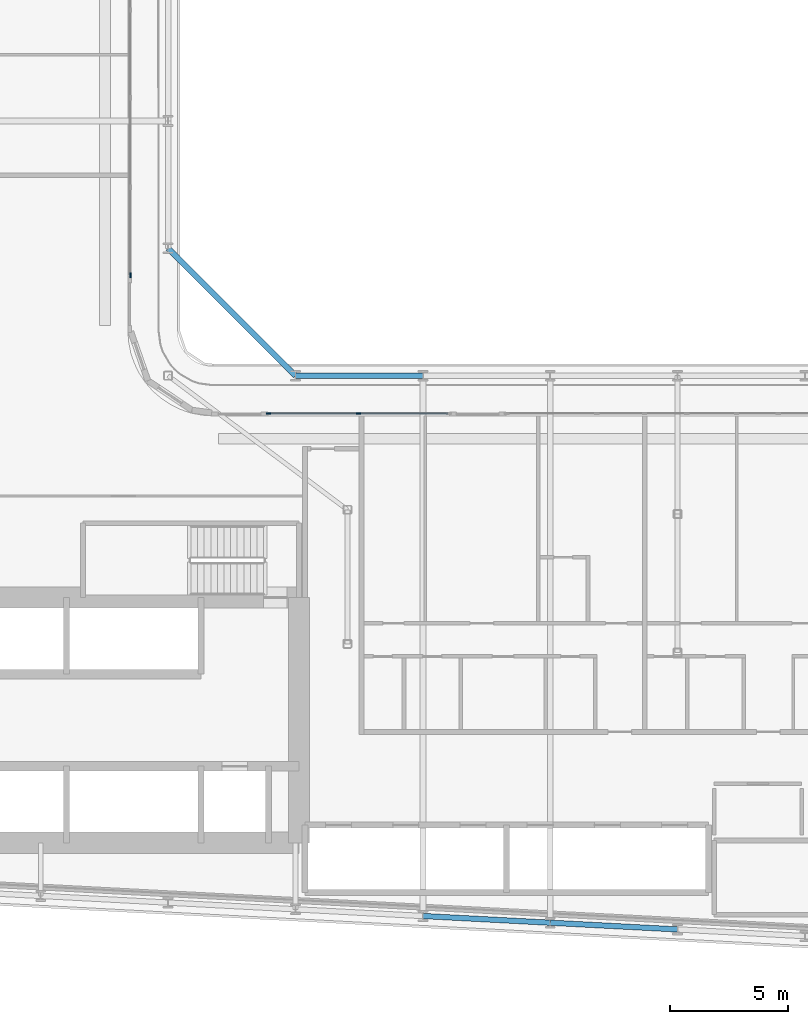
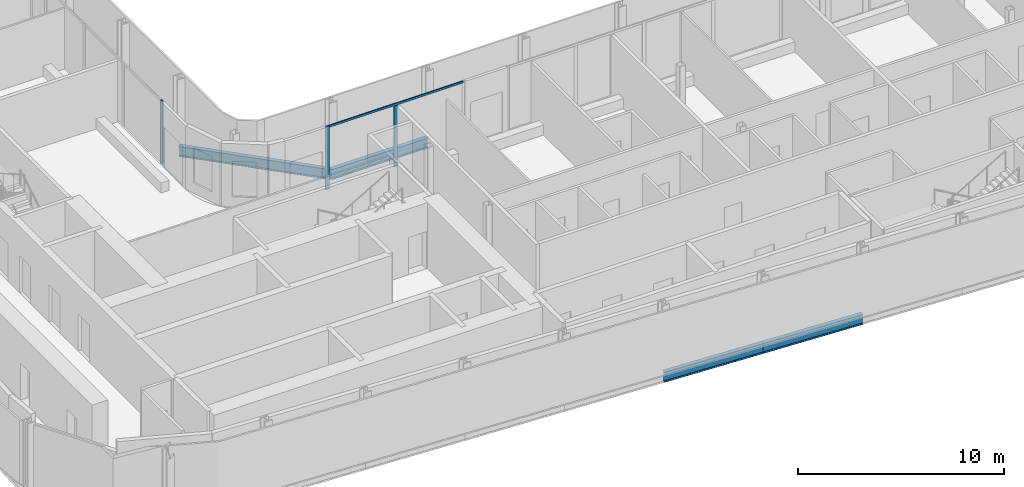
# One storey, part 4 of 27: 4 beams, 4 members, 2 elements without a shape of their own.
"""IFC4 building model written with IfcOpenShell, lengths in metres."""

import ifcopenshell
import ifcopenshell.guid

model = None  # the IFC model being written
_history = None  # IfcOwnerHistory: only IFC2X3 demands one
_inside = {}  # id of a spatial element -> (the spatial element, [elements in it])
_under = {}  # id of a project, library or spatial element -> (it, [spatial elements below it])
_declared = {}  # id of a project -> (the project, [libraries it declares])
_typed = {}  # id of a type object -> (the type object, [elements of that type])
_made_of = {}  # id of a material, layer set ... -> (it, [elements and type objects made of it])


def new_model(schema):
    """Start an empty IFC model of exactly this schema.

    Asked for "IFC4X3", IfcOpenShell would pick the latest addendum, in which some entities
    have other attributes; the version numbers below select the first issue.
    IFC2X3 requires an IfcOwnerHistory on every rooted entity: one is made here for all.
    """
    global model, _history
    if schema == "IFC4X3":
        model = ifcopenshell.file(schema_version=(4, 3, 0, 0))
    else:
        model = ifcopenshell.file(schema=schema)
    _inside.clear()
    _under.clear()
    _declared.clear()
    _typed.clear()
    _made_of.clear()
    _history = None
    if model.schema == "IFC2X3":
        org = make("IfcOrganization", Name="unknown")
        user = make(
            "IfcPersonAndOrganization",
            ThePerson=make("IfcPerson", FamilyName="unknown"),
            TheOrganization=org,
        )
        app = make(
            "IfcApplication",
            ApplicationDeveloper=org,
            Version="unknown",
            ApplicationFullName="unknown",
            ApplicationIdentifier="unknown",
        )
        _history = make(
            "IfcOwnerHistory",
            OwningUser=user,
            OwningApplication=app,
            ChangeAction="ADDED",
            CreationDate=0,
        )
    return model


def make(cls, **values):
    """One entity of the class cls with the attributes given. An attribute that is None is left unset."""
    return model.create_entity(
        cls, **{name: value for name, value in values.items() if value is not None}
    )


def rooted(cls, **values):
    """An entity with a GlobalId (a new one), such as an element, a storey or a relation."""
    return make(cls, GlobalId=ifcopenshell.guid.new(), OwnerHistory=_history, **values)


def si_unit(unit_type, name, prefix=None):
    """IfcSIUnit, for example si_unit("LENGTHUNIT", "METRE", prefix="MILLI")."""
    return make("IfcSIUnit", UnitType=unit_type, Prefix=prefix, Name=name)


def assignment(units):
    """IfcUnitAssignment: the units of a project."""
    return None if units is None else make("IfcUnitAssignment", Units=units)


def point(xyz):
    """IfcCartesianPoint."""
    return None if xyz is None else make("IfcCartesianPoint", Coordinates=xyz)


def direction(xyz):
    """IfcDirection."""
    return None if xyz is None else make("IfcDirection", DirectionRatios=xyz)


def frame(location, z_axis=None, x_axis=None):
    """IfcAxis2Placement3D, a coordinate frame: its origin and axes. An axis left out is left unset."""
    return make(
        "IfcAxis2Placement3D",
        Location=point(location),
        Axis=direction(z_axis),
        RefDirection=direction(x_axis),
    )


def frame_2d(location, x_axis=None):
    """IfcAxis2Placement2D, a coordinate frame in the plane: its origin and x axis."""
    return make(
        "IfcAxis2Placement2D", Location=point(location), RefDirection=direction(x_axis)
    )


def origin():
    """The frame at (0, 0, 0) with its axes left unset."""
    return frame((0.0, 0.0, 0.0))


def origin_2d():
    """The frame at (0, 0) in the plane with its x axis left unset."""
    return frame_2d((0.0, 0.0))


def place(relative_to, where):
    """IfcLocalPlacement: puts the frame where relative to a parent placement (None: the world)."""
    return make(
        "IfcLocalPlacement", PlacementRelTo=relative_to, RelativePlacement=where
    )


def context(
    kind, dimensions, precision=None, world=None, true_north=None, identifier=None
):
    """IfcGeometricRepresentationContext, for example the 3D "Model" context."""
    return make(
        "IfcGeometricRepresentationContext",
        ContextIdentifier=identifier,
        ContextType=kind,
        CoordinateSpaceDimension=dimensions,
        Precision=precision,
        WorldCoordinateSystem=world,
        TrueNorth=true_north,
    )


def subcontext(parent, identifier, kind, view, scale=None):
    """IfcGeometricRepresentationSubContext, for example "Body" below "Model"."""
    return make(
        "IfcGeometricRepresentationSubContext",
        ContextIdentifier=identifier,
        ContextType=kind,
        ParentContext=parent,
        TargetScale=scale,
        TargetView=view,
    )


def project(units=None, contexts=None):
    """IfcProject with its units and contexts."""
    return rooted(
        "IfcProject",
        Name="project",
        RepresentationContexts=contexts,
        UnitsInContext=assignment(units),
    )


def spatial(cls, under=None, at=None, **own):
    """A site, building, storey or space (cls), placed at a placement, below another one or the project."""
    s = rooted(cls, ObjectPlacement=at, **own)
    if under is not None:
        _under.setdefault(under.id(), (under, []))[1].append(s)
    return s


def profile(cls, at=None, kind="AREA", **sizes):
    """A parametric profile (cls). Its sizes go by their IFC names, for example OverallWidth=200.0."""
    return make(cls, ProfileType=kind, Position=at, **sizes)


def rectangle(**sizes):
    """IfcRectangleProfileDef."""
    return profile("IfcRectangleProfileDef", **sizes)


def i_section(**sizes):
    """IfcIShapeProfileDef."""
    return profile("IfcIShapeProfileDef", **sizes)


def extrude(swept, where, along, depth):
    """IfcExtrudedAreaSolid: the profile swept, set in the frame where, extruded along a direction by depth."""
    return make(
        "IfcExtrudedAreaSolid",
        SweptArea=swept,
        Position=where,
        ExtrudedDirection=direction(along),
        Depth=depth,
    )


def shape(context_of_items, identifier, shape_type, items):
    """IfcShapeRepresentation: the items that make up one representation, for example the "Body"."""
    return make(
        "IfcShapeRepresentation",
        ContextOfItems=context_of_items,
        RepresentationIdentifier=identifier,
        RepresentationType=shape_type,
        Items=items,
    )


def material(Name=None, Category=None):
    """IfcMaterial."""
    return make("IfcMaterial", Name=Name, Category=Category)


def layer(
    of_material, thickness, ventilated=None, Name=None, Category=None, Priority=None
):
    """IfcMaterialLayer: one layer of a wall or slab, of a material (None: an air gap)."""
    return make(
        "IfcMaterialLayer",
        Material=of_material,
        LayerThickness=thickness,
        IsVentilated=ventilated,
        Name=Name,
        Category=Category,
        Priority=Priority,
    )


def layer_set(layers, Name=None):
    """IfcMaterialLayerSet."""
    return make("IfcMaterialLayerSet", MaterialLayers=layers, LayerSetName=Name)


def material_profile(
    of_material, cross_section, Name=None, Category=None, Priority=None
):
    """IfcMaterialProfile: a cross section and its material."""
    return make(
        "IfcMaterialProfile",
        Name=Name,
        Material=of_material,
        Profile=cross_section,
        Priority=Priority,
        Category=Category,
    )


def profile_set(profiles, Name=None, composite=None):
    """IfcMaterialProfileSet."""
    return make(
        "IfcMaterialProfileSet",
        Name=Name,
        MaterialProfiles=profiles,
        CompositeProfile=composite,
    )


def made_of(thing, what):
    """Note that an element or type object is made of a material, layer set ...; save() writes the relation."""
    if what is not None:
        _made_of.setdefault(what.id(), (what, []))[1].append(thing)
    return thing


def type_object(cls, material=None, **own):
    """A type object (cls), such as IfcWallType, which elements share."""
    return made_of(rooted(cls, **own), material)


def element(
    cls,
    number,
    at=None,
    inside=None,
    cuts=None,
    type_object=None,
    material=None,
    context=None,
    identifier="Body",
    shape_type=None,
    held_by="IfcProductDefinitionShape",
    body=None,
    shapes=None,
    **own,
):
    """One element of the class cls, such as IfcWall. Its Tag is "e" and its number.

    at: its placement. inside: the storey or other place that contains it. cuts: it is an
    opening in that element (IfcRelVoidsElement). A single representation is given by context,
    identifier, shape_type and body (its items); several are given by shapes. held_by: the class
    of the entity that holds the representations. save() writes the other relations.
    """
    e = rooted(cls, Tag="e%d" % number, ObjectPlacement=at, **own)
    if body is not None:
        shapes = [shape(context, identifier, shape_type, body)]
    if shapes is not None:
        e.Representation = make(held_by, Representations=shapes)
    if inside is not None:
        _inside.setdefault(inside.id(), (inside, []))[1].append(e)
    if cuts is not None:
        rooted(
            "IfcRelVoidsElement", RelatingBuildingElement=cuts, RelatedOpeningElement=e
        )
    if type_object is not None:
        _typed.setdefault(type_object.id(), (type_object, []))[1].append(e)
    return made_of(e, material)


def aggregate(whole, parts):
    """IfcRelAggregates: a whole, such as a stair, and the parts it consists of."""
    return rooted("IfcRelAggregates", RelatingObject=whole, RelatedObjects=parts)


def save(model, path):
    """Write the relations noted so far, then the file.

    IfcRelAggregates (storeys below a building ...), IfcRelContainedInSpatialStructure (elements
    in a storey), IfcRelDefinesByType, IfcRelAssociatesMaterial and IfcRelDeclares: one each for
    every whole, place, type object, material and project.
    """
    for whole, parts in _under.values():
        aggregate(whole, parts)
    for where, things in _inside.values():
        rooted(
            "IfcRelContainedInSpatialStructure",
            RelatedElements=things,
            RelatingStructure=where,
        )
    for kind, things in _typed.values():
        rooted("IfcRelDefinesByType", RelatedObjects=things, RelatingType=kind)
    for what, things in _made_of.values():
        rooted("IfcRelAssociatesMaterial", RelatedObjects=things, RelatingMaterial=what)
    for by, libraries in _declared.values():
        rooted("IfcRelDeclares", RelatingContext=by, RelatedDefinitions=libraries)
    model.write(path)


model = new_model("IFC4")

# Units and contexts
model_context = context("Model", 3, precision=1e-05, world=origin(), true_north=direction((0.0, 1.0)))
body_context = subcontext(model_context, "Body", "Model", "MODEL_VIEW")
ifc_project = project(units=[si_unit("LENGTHUNIT", "METRE"), si_unit("AREAUNIT", "SQUARE_METRE"), si_unit("VOLUMEUNIT", "CUBIC_METRE"), si_unit("PLANEANGLEUNIT", "RADIAN"), si_unit("MASSUNIT", "GRAM", prefix="KILO")], contexts=[model_context])

# Site, building, storey
site_placement = place(None, origin())
site = spatial("IfcSite", under=ifc_project, at=site_placement, CompositionType="ELEMENT")
building_placement = place(site_placement, origin())
building = spatial("IfcBuilding", under=site, at=building_placement, Name="Kheshtan School and Residences Tower", CompositionType="ELEMENT")
storey_placement = place(building_placement, frame((0.0, 0.0, 101.89990234375)))
storey = spatial("IfcBuildingStorey", under=building, at=storey_placement, Name="L23", CompositionType="ELEMENT", Elevation=101.89990234375)

# Beams
ifc_material_1 = material(Name="Steel ASTM A992 Grade 50", Category="steel")
ifc_material_profile_1 = material_profile(ifc_material_1, i_section(OverallWidth=0.22802734375, OverallDepth=0.60302734375, WebThickness=0.010498046875, FlangeThickness=0.014892578125, FilletRadius=0.013427734375, at=origin_2d()), Name="W610x101")
ifc_profile_set_1 = profile_set([ifc_material_profile_1], Name="Steel ASTM A992 Grade 50")
beam_type = type_object("IfcBeamType", Name="Beam SP2 W610x101 ASTM A992 Grade 50", PredefinedType="BEAM", material=ifc_profile_set_1)
beam_1_placement = place(storey_placement, frame((47.60009765625, 51.0, -0.451416015625), z_axis=(0.707106781187, -0.707106781187, 0.0), x_axis=(0.707106781187, 0.707106781187, 0.0)))
element("IfcBeam", 1, at=beam_1_placement, inside=storey, type_object=beam_type, Name="Spandrel beam C079-C061", PredefinedType="BEAM", context=body_context, shape_type="SweptSolid", body=[
    extrude(i_section(OverallWidth=0.22802734375, OverallDepth=0.60302734375, WebThickness=0.010498046875, FlangeThickness=0.014892578125, FilletRadius=0.013427734375, at=origin_2d()), origin(), (0.0, 0.0, 1.0), 7.63671875),
])
beam_2_placement = place(storey_placement, frame((53.0, 45.60009765625, -0.451416015625), z_axis=(1.0, 0.0, 0.0), x_axis=(0.0, 1.0, 0.0)))
element("IfcBeam", 2, at=beam_2_placement, inside=storey, type_object=beam_type, Name="Spandrel beam C061-C062", PredefinedType="BEAM", context=body_context, shape_type="SweptSolid", body=[
    extrude(i_section(OverallWidth=0.22802734375, OverallDepth=0.60302734375, WebThickness=0.010498046875, FlangeThickness=0.014892578125, FilletRadius=0.013427734375, at=origin_2d()), origin(), (0.0, 0.0, 1.0), 5.39990234375),
])
beam_3_placement = place(storey_placement, frame((69.199951171875, 22.126953125, -0.451416015625), z_axis=(-0.998620447272, 0.05250906864, 0.0), x_axis=(-0.05250906864, -0.998620447272, 0.0)))
element("IfcBeam", 3, at=beam_3_placement, inside=storey, type_object=beam_type, Name="Spandrel beam C014-C016", PredefinedType="BEAM", context=body_context, shape_type="SweptSolid", body=[
    extrude(i_section(OverallWidth=0.22802734375, OverallDepth=0.60302734375, WebThickness=0.010498046875, FlangeThickness=0.014892578125, FilletRadius=0.013427734375, at=origin_2d()), origin(), (0.0, 0.0, 1.0), 5.407470703125),
])
beam_4_placement = place(storey_placement, frame((63.800048828125, 22.410888671875, -0.451416015625), z_axis=(-0.998618203458, 0.052551724256, 0.0), x_axis=(-0.052551724256, -0.998618203458, 0.0)))
element("IfcBeam", 4, at=beam_4_placement, inside=storey, type_object=beam_type, Name="Spandrel beam C016-C018", PredefinedType="BEAM", context=body_context, shape_type="SweptSolid", body=[
    extrude(i_section(OverallWidth=0.22802734375, OverallDepth=0.60302734375, WebThickness=0.010498046875, FlangeThickness=0.014892578125, FilletRadius=0.013427734375, at=origin_2d()), origin(), (0.0, 0.0, 1.0), 5.40771484375),
])

# Curtain wall, member
ifc_material_2 = material(Name="Clear low-e glass in thermally broken aluminium frame", Category="aluminium")
ifc_layer = layer(ifc_material_2, 0.199951171875)
ifc_layer_set = layer_set([ifc_layer], Name="Curtain wall CW-L")
curtain_wall_type = type_object("IfcCurtainWallType", Name="Curtain wall CW-L", PredefinedType="NOTDEFINED", material=ifc_layer_set)
curtain_wall_1_placement = place(storey_placement, origin())
curtain_wall_1 = element("IfcCurtainWall", 5, at=curtain_wall_1_placement, inside=storey, type_object=curtain_wall_type, Name="Curtain wall CWL4a", PredefinedType="NOTDEFINED")
ifc_material_3 = material(Name="Thermally broken aluminium, dark bronze anodised", Category="aluminium")
ifc_material_profile_2 = material_profile(ifc_material_3, rectangle(XDim=0.06005859375, YDim=0.199951171875, at=origin_2d()), Name="CW-L mullion 60x200")
ifc_profile_set_2 = profile_set([ifc_material_profile_2], Name="Thermally broken aluminium, dark bronze anodised")
member_type_1 = type_object("IfcMemberType", Name="CW-L mullion 60x200", PredefinedType="MULLION", material=ifc_profile_set_2)
member_1_placement = place(storey_placement, frame((46.0, 49.860107421875, 0.0), z_axis=(0.0, 0.0, 1.0), x_axis=(1.0, 0.0, 0.0)))
member_1 = element("IfcMember", 6, at=member_1_placement, type_object=member_type_1, Name="CWL4a mullion 3", PredefinedType="MULLION", context=body_context, shape_type="SweptSolid", body=[
    extrude(rectangle(XDim=0.06005859375, YDim=0.199951171875, at=origin_2d()), origin(), (0.0, 0.0, 1.0), 3.75),
])
aggregate(curtain_wall_1, [member_1])

# Curtain wall, members
curtain_wall_2_placement = place(storey_placement, origin())
curtain_wall_2 = element("IfcCurtainWall", 7, at=curtain_wall_2_placement, inside=storey, type_object=curtain_wall_type, Name="Curtain wall CWL8", PredefinedType="NOTDEFINED")
member_2_placement = place(storey_placement, frame((51.860107421875, 44.0, 0.0), z_axis=(0.0, 0.0, 1.0), x_axis=(0.0, 1.0, 0.0)))
member_2 = element("IfcMember", 8, at=member_2_placement, type_object=member_type_1, Name="CWL8 mullion 1", PredefinedType="MULLION", context=body_context, shape_type="SweptSolid", body=[
    extrude(rectangle(XDim=0.06005859375, YDim=0.199951171875, at=origin_2d()), origin(), (0.0, 0.0, 1.0), 3.75),
])
member_3_placement = place(storey_placement, frame((55.677001953125, 44.0, 0.0), z_axis=(0.0, 0.0, 1.0), x_axis=(0.0, 1.0, 0.0)))
member_3 = element("IfcMember", 9, at=member_3_placement, type_object=member_type_1, Name="CWL8 mullion 2", PredefinedType="MULLION", context=body_context, shape_type="SweptSolid", body=[
    extrude(rectangle(XDim=0.06005859375, YDim=0.199951171875, at=origin_2d()), origin(), (0.0, 0.0, 1.0), 3.630126953125),
])
ifc_material_profile_3 = material_profile(ifc_material_3, rectangle(XDim=0.06005859375, YDim=0.1201171875, at=origin_2d()), Name="CW-L transom 60x120")
ifc_profile_set_3 = profile_set([ifc_material_profile_3], Name="Thermally broken aluminium, dark bronze anodised")
member_type_2 = type_object("IfcMemberType", Name="CW-L transom 60x120", PredefinedType="USERDEFINED", material=ifc_profile_set_3)
member_4_placement = place(storey_placement, frame((51.889892578125, 44.0, 3.690185546875), z_axis=(1.0, 0.0, 0.0), x_axis=(0.0, 1.0, 0.0)))
member_4 = element("IfcMember", 10, at=member_4_placement, type_object=member_type_2, Name="CWL8 transom 1", ObjectType="TRANSOM", PredefinedType="USERDEFINED", context=body_context, shape_type="SweptSolid", body=[
    extrude(rectangle(XDim=0.06005859375, YDim=0.1201171875, at=origin_2d()), origin(), (0.0, 0.0, 1.0), 7.57421875),
])
aggregate(curtain_wall_2, [member_2, member_3, member_4])

save(model, "model.ifc")
